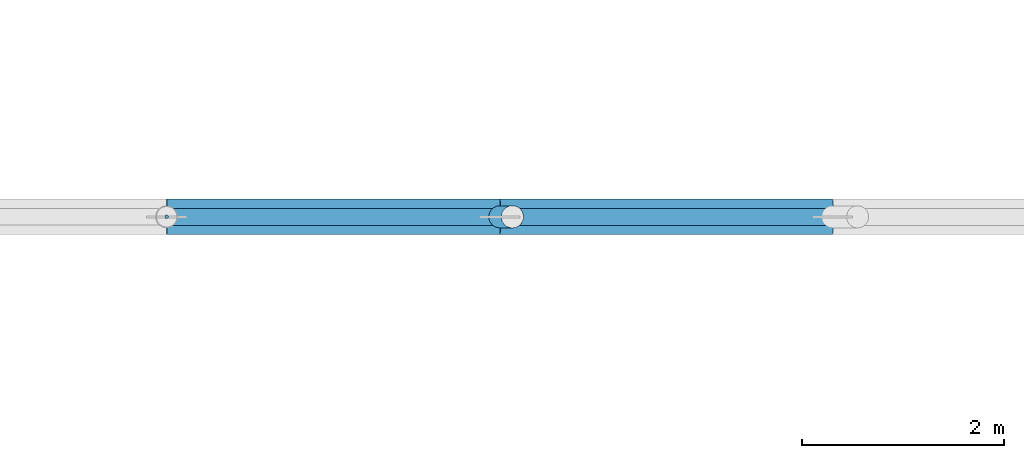
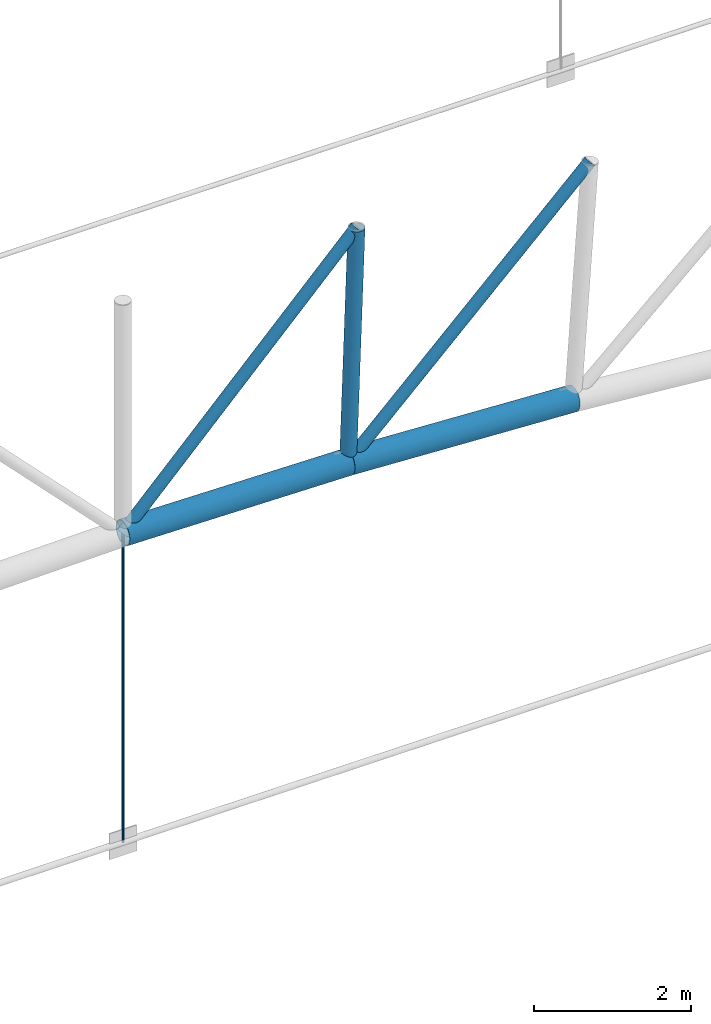
# One storey, part 174 of 321: 6 members.
"""IFC4 building model written with IfcOpenShell, lengths in metres."""

from ifc_helpers import new_model, si_unit, direction, frame, origin, origin_2d, place, context, subcontext, project, spatial, circle, hollow_circle, extrude, material, material_profile, profile_set, type_object, element, save


model = new_model("IFC4")

# Units and contexts
model_context = context("Model", 3, precision=1e-05, world=origin(), true_north=direction((0.0, 1.0)))
body_context = subcontext(model_context, "Body", "Model", "MODEL_VIEW")
ifc_project = project(units=[si_unit("LENGTHUNIT", "METRE"), si_unit("AREAUNIT", "SQUARE_METRE"), si_unit("VOLUMEUNIT", "CUBIC_METRE"), si_unit("PLANEANGLEUNIT", "RADIAN"), si_unit("MASSUNIT", "GRAM", prefix="KILO")], contexts=[model_context])

# Site, building, storey
site_placement = place(None, origin())
site = spatial("IfcSite", under=ifc_project, at=site_placement, CompositionType="ELEMENT")
building_placement = place(site_placement, origin())
building = spatial("IfcBuilding", under=site, at=building_placement, Name="Ravi Spectrum Wholesale Market", CompositionType="ELEMENT")
storey_placement = place(building_placement, frame((0.0, 0.0, 10.800048828125)))
storey = spatial("IfcBuildingStorey", under=building, at=storey_placement, Name="L02", CompositionType="ELEMENT", Elevation=10.800048828125)

# Members
ifc_material_1 = material(Name="Steel S355", Category="steel")
ifc_material_profile_1 = material_profile(ifc_material_1, hollow_circle(Radius=0.084228515625, WallThickness=0.00634765625, at=origin_2d()))
ifc_profile_set_1 = profile_set([ifc_material_profile_1], Name="Steel S355")
member_type_1 = type_object("IfcMemberType", Name="CHS 168.3x6.3 brace", PredefinedType="BRACE", material=ifc_profile_set_1)
for number, where, z_axis, x_axis, name in (
    (1, (73.4296875, 174.0, 8.3408203125), (-0.695749704847, 0.0, -0.718284308756), (0.0, -1.0, 0.0), "H1-MB-L02-1055"),
    (2, (76.85546875, 174.0, 8.163330078125), (-0.7201093859, 0.0, -0.69386055684), (0.0, -1.0, 0.0), "H1-MB-L02-1056"),
):
    element("IfcMember", number, at=place(storey_placement, frame(where, z_axis=z_axis, x_axis=x_axis)), inside=storey, type_object=member_type_1, Name=name, PredefinedType="BRACE", context=body_context, shape_type="SweptSolid", body=[
        extrude(hollow_circle(Radius=0.084228515625, WallThickness=0.00634765625, at=origin_2d()), origin(), (0.0, 0.0, 1.0), 4.929443359375),
    ])
ifc_material_2 = material(Name="Steel S355", Category="steel")
ifc_material_profile_2 = material_profile(ifc_material_2, hollow_circle(Radius=0.109619140625, WallThickness=0.008056640625, at=origin_2d()))
ifc_profile_set_2 = profile_set([ifc_material_profile_2], Name="Steel S355")
member_type_2 = type_object("IfcMemberType", Name="CHS 219.1x8 post", PredefinedType="POST", material=ifc_profile_set_2)
member_1_placement = place(storey_placement, frame((73.4296875, 174.0, 8.3408203125), z_axis=(-0.034450597287, 0.0, -0.999406401994), x_axis=(0.0, -1.0, 0.0)))
element("IfcMember", 3, at=member_1_placement, inside=storey, type_object=member_type_2, Name="H1-MB-L02-1033", PredefinedType="POST", context=body_context, shape_type="SweptSolid", body=[
    extrude(hollow_circle(Radius=0.109619140625, WallThickness=0.008056640625, at=origin_2d()), origin(), (0.0, 0.0, 1.0), 3.60009765625),
])
ifc_material_3 = material(Name="Steel S355", Category="steel")
ifc_material_profile_3 = material_profile(ifc_material_3, hollow_circle(Radius=0.177734375, WallThickness=0.012451171875, at=origin_2d()))
ifc_profile_set_3 = profile_set([ifc_material_profile_3], Name="Steel S355")
member_type_3 = type_object("IfcMemberType", Name="CHS 355.6x12.5 chord", PredefinedType="CHORD", material=ifc_profile_set_3)
for number, where, z_axis, x_axis, name in (
    (4, (70.0, 174.0, 4.800048828125), (0.999850697486, 0.0, -0.017279546766), (0.0, 1.0, 0.0), "H1-MB-L02-1009"),
    (5, (73.3056640625, 174.0, 4.742919921875), (0.99866314533, 0.0, -0.051690638992), (0.0, 1.0, 0.0), "H1-MB-L02-1010"),
):
    element("IfcMember", number, at=place(storey_placement, frame(where, z_axis=z_axis, x_axis=x_axis)), inside=storey, type_object=member_type_3, Name=name, PredefinedType="CHORD", context=body_context, shape_type="SweptSolid", body=[
        extrude(hollow_circle(Radius=0.177734375, WallThickness=0.012451171875, at=origin_2d()), origin(), (0.0, 0.0, 1.0), 3.30615234375),
    ])
ifc_material_4 = material(Name="Steel S355", Category="steel")
ifc_material_profile_4 = material_profile(ifc_material_4, circle(Radius=0.01806640625, at=origin_2d()))
ifc_profile_set_4 = profile_set([ifc_material_profile_4], Name="Steel S355")
member_type_4 = type_object("IfcMemberType", Name="ROD 36 hanger", PredefinedType="STRUT", material=ifc_profile_set_4)
member_2_placement = place(storey_placement, frame((70.0, 174.0, 0.0), z_axis=(0.0, 0.0, 1.0), x_axis=(1.0, 0.0, 0.0)))
element("IfcMember", 6, at=member_2_placement, inside=storey, type_object=member_type_4, Name="H1-MB-L02-1069", PredefinedType="STRUT", context=body_context, shape_type="SweptSolid", body=[
    extrude(circle(Radius=0.01806640625, at=origin_2d()), origin(), (0.0, 0.0, 1.0), 4.800048828125),
])

save(model, "model.ifc")
